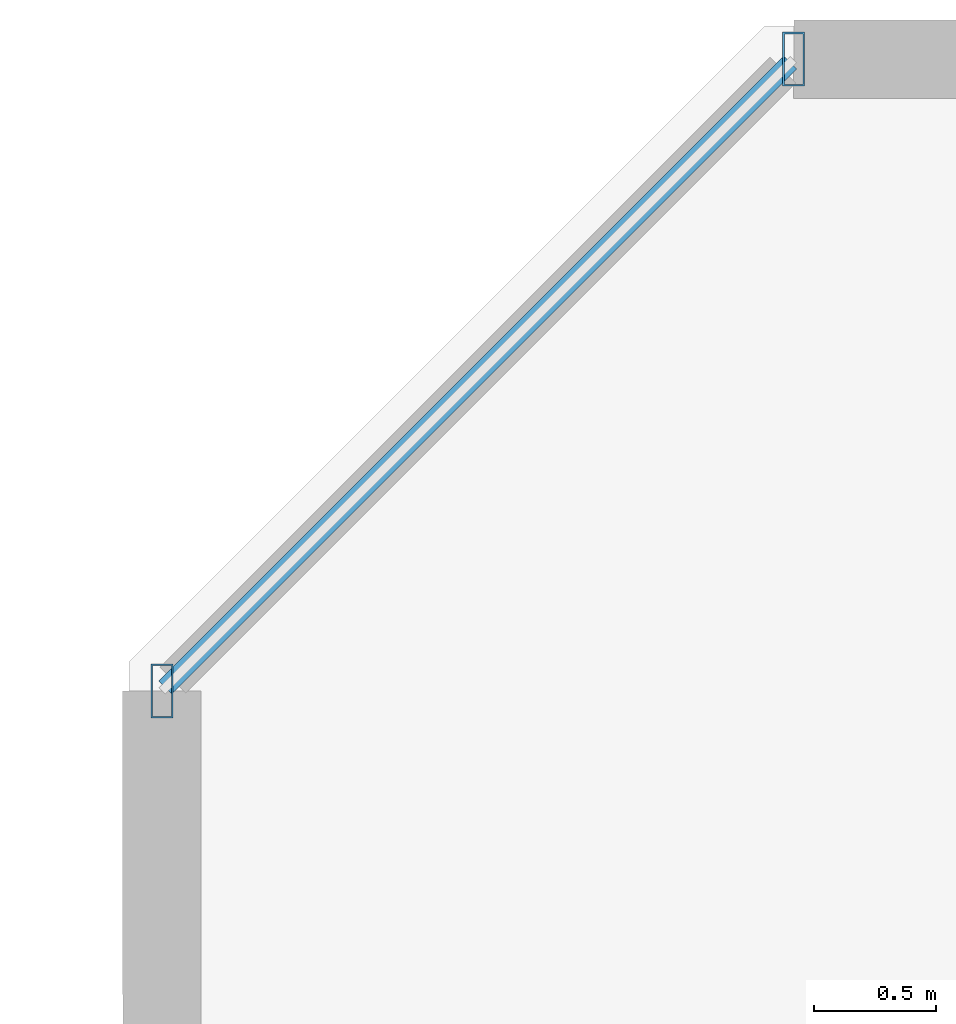
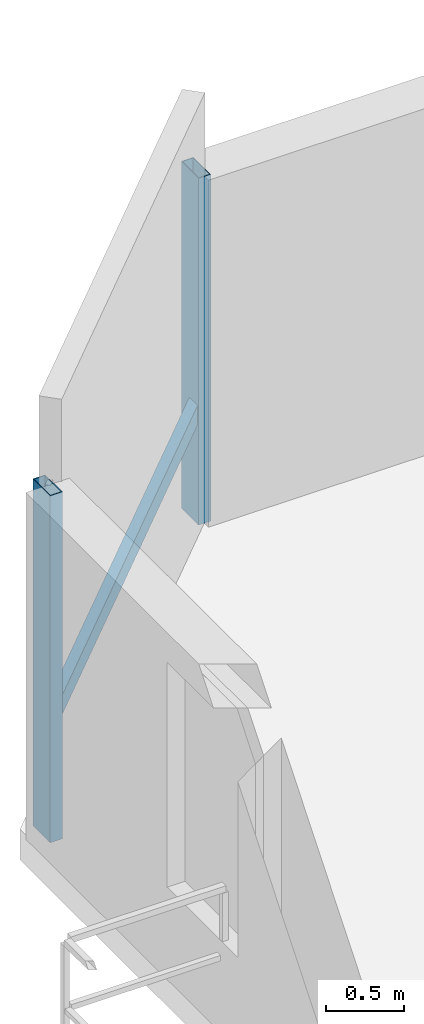
# One storey, part 7 of 33: 3 members, 1 element without a shape of its own.
"""IFC4 building model written with IfcOpenShell, lengths in metres."""

from ifc_helpers import new_model, si_unit, direction, frame, origin, origin_2d, place, context, subcontext, project, spatial, hollow_rectangle, extrude, material, material_profile, profile_set, type_object, element, aggregate, save


model = new_model("IFC4")

# Units and contexts
model_context = context("Model", 3, precision=1e-05, world=origin(), true_north=direction((0.0, 1.0)))
body_context = subcontext(model_context, "Body", "Model", "MODEL_VIEW")
ifc_project = project(units=[si_unit("LENGTHUNIT", "METRE"), si_unit("AREAUNIT", "SQUARE_METRE"), si_unit("VOLUMEUNIT", "CUBIC_METRE"), si_unit("PLANEANGLEUNIT", "RADIAN"), si_unit("MASSUNIT", "GRAM", prefix="KILO")], contexts=[model_context])

# Site, building, storey
site_placement = place(None, origin())
site = spatial("IfcSite", under=ifc_project, at=site_placement, CompositionType="ELEMENT")
building_placement = place(site_placement, origin())
building = spatial("IfcBuilding", under=site, at=building_placement, Name="Thornwick Lancets Civic Towers", CompositionType="ELEMENT")
storey_placement = place(building_placement, frame((0.0, 0.0, 35.10009765625)))
storey = spatial("IfcBuildingStorey", under=building, at=storey_placement, Name="L08", CompositionType="ELEMENT", Elevation=35.10009765625)

# Curtain wall, members
ifc_material_1 = material(Name="Low-zone chamfered-corner unitised glass curtain wall", Category="glass")
curtain_wall_type = type_object("IfcCurtainWallType", Name="CW_SYS_03", PredefinedType="NOTDEFINED", material=ifc_material_1)
curtain_wall_placement = place(storey_placement, origin())
curtain_wall = element("IfcCurtainWall", 1, at=curtain_wall_placement, inside=storey, type_object=curtain_wall_type, Name="L08 Curtain Wall CW-L08-A-E5", PredefinedType="NOTDEFINED")
ifc_material_2 = material(Name="Thermally broken bronze aluminium S355", Category="steel")
ifc_material_profile_1 = material_profile(ifc_material_2, hollow_rectangle(XDim=0.090087890625, YDim=0.219970703125, WallThickness=0.00634765625, at=origin_2d()), Name="RHS 220x90x6.3")
ifc_profile_set_1 = profile_set([ifc_material_profile_1], Name="Thermally broken bronze aluminium S355")
member_type_1 = type_object("IfcMemberType", Name="CW_MUL_220", PredefinedType="MULLION", material=ifc_profile_set_1)
member_1_placement = place(storey_placement, frame((3.81884765625, 45.264892578125, 0.0), z_axis=(0.0, 0.0, 1.0), x_axis=(1.0, 0.0, 0.0)))
member_1 = element("IfcMember", 2, at=member_1_placement, type_object=member_type_1, Name="CW-L08-A-E5 Mullion 0", PredefinedType="MULLION", context=body_context, shape_type="SweptSolid", body=[
    extrude(hollow_rectangle(XDim=0.090087890625, YDim=0.219970703125, WallThickness=0.00634765625, at=origin_2d()), origin(), (0.0, 0.0, 1.0), 2.699951171875),
])
member_2_placement = place(storey_placement, frame((1.235107421875, 42.68115234375, 0.0), z_axis=(0.0, 0.0, 1.0), x_axis=(1.0, 0.0, 0.0)))
member_2 = element("IfcMember", 3, at=member_2_placement, type_object=member_type_1, Name="CW-L08-A-E5 Mullion 1", PredefinedType="MULLION", context=body_context, shape_type="SweptSolid", body=[
    extrude(hollow_rectangle(XDim=0.090087890625, YDim=0.219970703125, WallThickness=0.00634765625, at=origin_2d()), origin(), (0.0, 0.0, 1.0), 2.699951171875),
])
ifc_material_profile_2 = material_profile(ifc_material_2, hollow_rectangle(XDim=0.074951171875, YDim=0.14990234375, WallThickness=0.0048828125, at=origin_2d()), Name="RHS 150x75x5")
ifc_profile_set_2 = profile_set([ifc_material_profile_2], Name="Thermally broken bronze aluminium S355")
member_type_2 = type_object("IfcMemberType", Name="CW_TRN_150", PredefinedType="USERDEFINED", material=ifc_profile_set_2)
member_3_placement = place(storey_placement, frame((3.8046875, 45.250732421875, 0.849853515625), z_axis=(-0.707106781187, -0.707106781187, 0.0), x_axis=(0.707106781187, -0.707106781187, 0.0)))
member_3 = element("IfcMember", 4, at=member_3_placement, type_object=member_type_2, Name="CW-L08-A-E5 Transom 0", ObjectType="TRANSOM", PredefinedType="USERDEFINED", context=body_context, shape_type="SweptSolid", body=[
    extrude(hollow_rectangle(XDim=0.074951171875, YDim=0.14990234375, WallThickness=0.0048828125, at=origin_2d()), origin(), (0.0, 0.0, 1.0), 3.614013671875),
])
aggregate(curtain_wall, [member_1, member_2, member_3])

save(model, "model.ifc")
